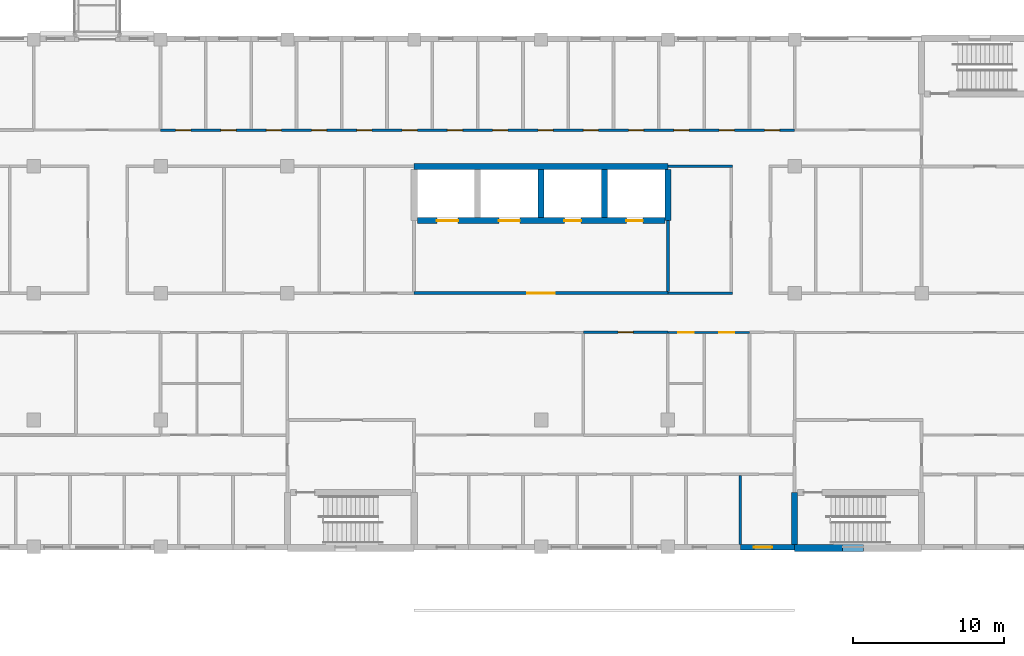
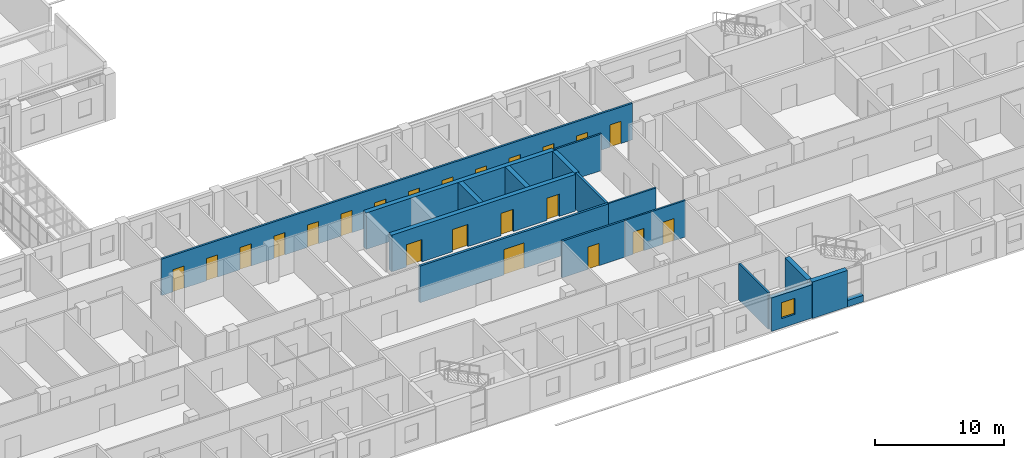
# One storey, part 60 of 94: 22 doors, 17 walls, 1 window, 23 openings.
"""IFC4 building model written with IfcOpenShell, lengths in metres."""

from ifc_helpers import new_model, si_unit, direction, frame, frame_2d, origin, place, context, subcontext, project, spatial, rectangle, extrude, material, layer, layer_set, type_object, element, fill, save


model = new_model("IFC4")

# Units and contexts
model_context = context("Model", 3, precision=1e-05, world=origin(), true_north=direction((0.0, 1.0)))
body_context = subcontext(model_context, "Body", "Model", "MODEL_VIEW")
ifc_project = project(units=[si_unit("LENGTHUNIT", "METRE"), si_unit("AREAUNIT", "SQUARE_METRE"), si_unit("VOLUMEUNIT", "CUBIC_METRE"), si_unit("PLANEANGLEUNIT", "RADIAN"), si_unit("MASSUNIT", "GRAM", prefix="KILO")], contexts=[model_context])

# Site, building, storey
site_placement = place(None, origin())
site = spatial("IfcSite", under=ifc_project, at=site_placement, CompositionType="ELEMENT")
building_placement = place(site_placement, origin())
building = spatial("IfcBuilding", under=site, at=building_placement, Name="Yavir Park General Hospital", CompositionType="ELEMENT")
storey_placement = place(building_placement, frame((0.0, 0.0, 4.5)))
storey = spatial("IfcBuildingStorey", under=building, at=storey_placement, Name="L01", CompositionType="ELEMENT", Elevation=4.5)

# Wall, opening, door
ifc_material_1 = material(Name="Double-leaf gypsum board acoustic partition on staggered studs")
ifc_layer_1 = layer(ifc_material_1, 0.175048828125)
ifc_layer_set_1 = layer_set([ifc_layer_1], Name="Double-leaf gypsum board acoustic partition on staggered studs")
wall_type_1 = type_object("IfcWallType", Name="Acoustic partition 175", PredefinedType="PARTITIONING", material=ifc_layer_set_1)
wall_1_placement = place(storey_placement, frame((86.800048828125, 14.199951171875, 0.0), z_axis=(0.0, 0.0, 1.0), x_axis=(1.0, 0.0, 0.0)))
wall_1 = element("IfcWall", 1, at=wall_1_placement, inside=storey, type_object=wall_type_1, Name="AP175 L01-053", PredefinedType="PARTITIONING", context=body_context, shape_type="SweptSolid", body=[
    extrude(rectangle(XDim=5.599853515625, YDim=0.175048828125, at=frame_2d((2.7998046875, 0.0))), origin(), (0.0, 0.0, 1.0), 3.449951171875),
])
opening_1_placement = place(wall_1_placement, frame((2.300048828125, 0.0, 0.0)))
opening_1 = element("IfcOpeningElement", 2, at=opening_1_placement, cuts=wall_1, Name="Opening L01.D068", PredefinedType="OPENING", context=body_context, shape_type="SweptSolid", body=[
    extrude(rectangle(XDim=1.0, YDim=2.10009765625, at=frame_2d((0.5, 1.050048828125))), frame((0.0, 0.097412109375, 0.0), z_axis=(0.0, -1.0, 0.0), x_axis=(1.0, 0.0, 0.0)), (0.0, 0.0, 1.0), 0.195068359375),
])
ifc_material_2 = material(Name="Sealed solid-core acoustic door leaf, Rw 42 dB")
door_type_1 = type_object("IfcDoorType", Name="Acoustic door 1000 x 2100", OperationType="SINGLE_SWING_LEFT", PredefinedType="DOOR", material=ifc_material_2)
door_1_placement = place(opening_1_placement, origin())
door_1 = element("IfcDoor", 3, at=door_1_placement, inside=storey, type_object=door_type_1, Name="L01.D068", OperationType="SINGLE_SWING_LEFT", OverallHeight=2.10009765625, OverallWidth=1.0, PredefinedType="DOOR", context=body_context, shape_type="SweptSolid", body=[
    extrude(rectangle(XDim=1.0, YDim=2.10009765625, at=frame_2d((0.5, 1.050048828125))), frame((0.0, 0.03515625, 0.0), z_axis=(0.0, -1.0, 0.0), x_axis=(1.0, 0.0, 0.0)), (0.0, 0.0, 1.0), 0.070068359375),
])
fill(opening_1, door_1)

# Wall, openings, doors
wall_2_placement = place(storey_placement, frame((58.800048828125, 27.60009765625, 0.0), z_axis=(0.0, 0.0, 1.0), x_axis=(1.0, 0.0, 0.0)))
wall_2 = element("IfcWall", 4, at=wall_2_placement, inside=storey, type_object=wall_type_1, Name="AP175 L01-116", PredefinedType="PARTITIONING", context=body_context, shape_type="SweptSolid", body=[
    extrude(rectangle(XDim=42.0, YDim=0.175048828125, at=frame_2d((21.0, 0.0))), origin(), (0.0, 0.0, 1.0), 3.449951171875),
])
opening_2_placement = place(wall_2_placement, frame((1.0, 0.0, 0.0)))
opening_2 = element("IfcOpeningElement", 5, at=opening_2_placement, cuts=wall_2, Name="Opening L01.D118", PredefinedType="OPENING", context=body_context, shape_type="SweptSolid", body=[
    extrude(rectangle(XDim=1.0, YDim=2.10009765625, at=frame_2d((0.5, 1.050048828125))), frame((0.0, 0.097412109375, 0.0), z_axis=(0.0, -1.0, 0.0), x_axis=(1.0, 0.0, 0.0)), (0.0, 0.0, 1.0), 0.195068359375),
])
opening_3_placement = place(wall_2_placement, frame((4.0, 0.0, 0.0)))
opening_3 = element("IfcOpeningElement", 6, at=opening_3_placement, cuts=wall_2, Name="Opening L01.D119", PredefinedType="OPENING", context=body_context, shape_type="SweptSolid", body=[
    extrude(rectangle(XDim=1.0, YDim=2.10009765625, at=frame_2d((0.5, 1.050048828125))), frame((0.0, 0.097412109375, 0.0), z_axis=(0.0, -1.0, 0.0), x_axis=(1.0, 0.0, 0.0)), (0.0, 0.0, 1.0), 0.195068359375),
])
opening_4_placement = place(wall_2_placement, frame((7.0, 0.0, 0.0)))
opening_4 = element("IfcOpeningElement", 7, at=opening_4_placement, cuts=wall_2, Name="Opening L01.D120", PredefinedType="OPENING", context=body_context, shape_type="SweptSolid", body=[
    extrude(rectangle(XDim=1.0, YDim=2.10009765625, at=frame_2d((0.5, 1.050048828125))), frame((0.0, 0.097412109375, 0.0), z_axis=(0.0, -1.0, 0.0), x_axis=(1.0, 0.0, 0.0)), (0.0, 0.0, 1.0), 0.195068359375),
])
opening_5_placement = place(wall_2_placement, frame((10.0, 0.0, 0.0)))
opening_5 = element("IfcOpeningElement", 8, at=opening_5_placement, cuts=wall_2, Name="Opening L01.D121", PredefinedType="OPENING", context=body_context, shape_type="SweptSolid", body=[
    extrude(rectangle(XDim=1.0, YDim=2.10009765625, at=frame_2d((0.5, 1.050048828125))), frame((0.0, 0.097412109375, 0.0), z_axis=(0.0, -1.0, 0.0), x_axis=(1.0, 0.0, 0.0)), (0.0, 0.0, 1.0), 0.195068359375),
])
opening_6_placement = place(wall_2_placement, frame((13.0, 0.0, 0.0)))
opening_6 = element("IfcOpeningElement", 9, at=opening_6_placement, cuts=wall_2, Name="Opening L01.D122", PredefinedType="OPENING", context=body_context, shape_type="SweptSolid", body=[
    extrude(rectangle(XDim=1.0, YDim=2.10009765625, at=frame_2d((0.5, 1.050048828125))), frame((0.0, 0.097412109375, 0.0), z_axis=(0.0, -1.0, 0.0), x_axis=(1.0, 0.0, 0.0)), (0.0, 0.0, 1.0), 0.195068359375),
])
opening_7_placement = place(wall_2_placement, frame((16.0, 0.0, 0.0)))
opening_7 = element("IfcOpeningElement", 10, at=opening_7_placement, cuts=wall_2, Name="Opening L01.D123", PredefinedType="OPENING", context=body_context, shape_type="SweptSolid", body=[
    extrude(rectangle(XDim=1.0, YDim=2.10009765625, at=frame_2d((0.5, 1.050048828125))), frame((0.0, 0.097412109375, 0.0), z_axis=(0.0, -1.0, 0.0), x_axis=(1.0, 0.0, 0.0)), (0.0, 0.0, 1.0), 0.195068359375),
])
opening_8_placement = place(wall_2_placement, frame((19.0, 0.0, 0.0)))
opening_8 = element("IfcOpeningElement", 11, at=opening_8_placement, cuts=wall_2, Name="Opening L01.D124", PredefinedType="OPENING", context=body_context, shape_type="SweptSolid", body=[
    extrude(rectangle(XDim=1.0, YDim=2.10009765625, at=frame_2d((0.5, 1.050048828125))), frame((0.0, 0.097412109375, 0.0), z_axis=(0.0, -1.0, 0.0), x_axis=(1.0, 0.0, 0.0)), (0.0, 0.0, 1.0), 0.195068359375),
])
opening_9_placement = place(wall_2_placement, frame((22.0, 0.0, 0.0)))
opening_9 = element("IfcOpeningElement", 12, at=opening_9_placement, cuts=wall_2, Name="Opening L01.D125", PredefinedType="OPENING", context=body_context, shape_type="SweptSolid", body=[
    extrude(rectangle(XDim=1.0, YDim=2.10009765625, at=frame_2d((0.5, 1.050048828125))), frame((0.0, 0.097412109375, 0.0), z_axis=(0.0, -1.0, 0.0), x_axis=(1.0, 0.0, 0.0)), (0.0, 0.0, 1.0), 0.195068359375),
])
opening_10_placement = place(wall_2_placement, frame((25.0, 0.0, 0.0)))
opening_10 = element("IfcOpeningElement", 13, at=opening_10_placement, cuts=wall_2, Name="Opening L01.D126", PredefinedType="OPENING", context=body_context, shape_type="SweptSolid", body=[
    extrude(rectangle(XDim=1.0, YDim=2.10009765625, at=frame_2d((0.5, 1.050048828125))), frame((0.0, 0.097412109375, 0.0), z_axis=(0.0, -1.0, 0.0), x_axis=(1.0, 0.0, 0.0)), (0.0, 0.0, 1.0), 0.195068359375),
])
opening_11_placement = place(wall_2_placement, frame((28.0, 0.0, 0.0)))
opening_11 = element("IfcOpeningElement", 14, at=opening_11_placement, cuts=wall_2, Name="Opening L01.D127", PredefinedType="OPENING", context=body_context, shape_type="SweptSolid", body=[
    extrude(rectangle(XDim=1.0, YDim=2.10009765625, at=frame_2d((0.5, 1.050048828125))), frame((0.0, 0.097412109375, 0.0), z_axis=(0.0, -1.0, 0.0), x_axis=(1.0, 0.0, 0.0)), (0.0, 0.0, 1.0), 0.195068359375),
])
opening_12_placement = place(wall_2_placement, frame((31.0, 0.0, 0.0)))
opening_12 = element("IfcOpeningElement", 15, at=opening_12_placement, cuts=wall_2, Name="Opening L01.D128", PredefinedType="OPENING", context=body_context, shape_type="SweptSolid", body=[
    extrude(rectangle(XDim=1.0, YDim=2.10009765625, at=frame_2d((0.5, 1.050048828125))), frame((0.0, 0.097412109375, 0.0), z_axis=(0.0, -1.0, 0.0), x_axis=(1.0, 0.0, 0.0)), (0.0, 0.0, 1.0), 0.195068359375),
])
opening_13_placement = place(wall_2_placement, frame((34.0, 0.0, 0.0)))
opening_13 = element("IfcOpeningElement", 16, at=opening_13_placement, cuts=wall_2, Name="Opening L01.D129", PredefinedType="OPENING", context=body_context, shape_type="SweptSolid", body=[
    extrude(rectangle(XDim=1.0, YDim=2.10009765625, at=frame_2d((0.5, 1.050048828125))), frame((0.0, 0.097412109375, 0.0), z_axis=(0.0, -1.0, 0.0), x_axis=(1.0, 0.0, 0.0)), (0.0, 0.0, 1.0), 0.195068359375),
])
opening_14_placement = place(wall_2_placement, frame((37.0, 0.0, 0.0)))
opening_14 = element("IfcOpeningElement", 17, at=opening_14_placement, cuts=wall_2, Name="Opening L01.D130", PredefinedType="OPENING", context=body_context, shape_type="SweptSolid", body=[
    extrude(rectangle(XDim=1.0, YDim=2.10009765625, at=frame_2d((0.5, 1.050048828125))), frame((0.0, 0.097412109375, 0.0), z_axis=(0.0, -1.0, 0.0), x_axis=(1.0, 0.0, 0.0)), (0.0, 0.0, 1.0), 0.195068359375),
])
opening_15_placement = place(wall_2_placement, frame((40.0, 0.0, 0.0)))
opening_15 = element("IfcOpeningElement", 18, at=opening_15_placement, cuts=wall_2, Name="Opening L01.D131", PredefinedType="OPENING", context=body_context, shape_type="SweptSolid", body=[
    extrude(rectangle(XDim=1.0, YDim=2.10009765625, at=frame_2d((0.5, 1.050048828125))), frame((0.0, 0.097412109375, 0.0), z_axis=(0.0, -1.0, 0.0), x_axis=(1.0, 0.0, 0.0)), (0.0, 0.0, 1.0), 0.195068359375),
])
door_2_placement = place(opening_2_placement, origin())
door_2 = element("IfcDoor", 19, at=door_2_placement, inside=storey, type_object=door_type_1, Name="L01.D118", OperationType="SINGLE_SWING_RIGHT", OverallHeight=2.10009765625, OverallWidth=1.0, PredefinedType="DOOR", context=body_context, shape_type="SweptSolid", body=[
    extrude(rectangle(XDim=1.0, YDim=2.10009765625, at=frame_2d((0.5, 1.050048828125))), frame((0.0, 0.03515625, 0.0), z_axis=(0.0, -1.0, 0.0), x_axis=(1.0, 0.0, 0.0)), (0.0, 0.0, 1.0), 0.070068359375),
])
fill(opening_2, door_2)
door_3_placement = place(opening_3_placement, origin())
door_3 = element("IfcDoor", 20, at=door_3_placement, inside=storey, type_object=door_type_1, Name="L01.D119", OperationType="SINGLE_SWING_RIGHT", OverallHeight=2.10009765625, OverallWidth=1.0, PredefinedType="DOOR", context=body_context, shape_type="SweptSolid", body=[
    extrude(rectangle(XDim=1.0, YDim=2.10009765625, at=frame_2d((0.5, 1.050048828125))), frame((0.0, 0.03515625, 0.0), z_axis=(0.0, -1.0, 0.0), x_axis=(1.0, 0.0, 0.0)), (0.0, 0.0, 1.0), 0.070068359375),
])
fill(opening_3, door_3)
door_4_placement = place(opening_4_placement, origin())
door_4 = element("IfcDoor", 21, at=door_4_placement, inside=storey, type_object=door_type_1, Name="L01.D120", OperationType="SINGLE_SWING_RIGHT", OverallHeight=2.10009765625, OverallWidth=1.0, PredefinedType="DOOR", context=body_context, shape_type="SweptSolid", body=[
    extrude(rectangle(XDim=1.0, YDim=2.10009765625, at=frame_2d((0.5, 1.050048828125))), frame((0.0, 0.03515625, 0.0), z_axis=(0.0, -1.0, 0.0), x_axis=(1.0, 0.0, 0.0)), (0.0, 0.0, 1.0), 0.070068359375),
])
fill(opening_4, door_4)
door_5_placement = place(opening_5_placement, origin())
door_5 = element("IfcDoor", 22, at=door_5_placement, inside=storey, type_object=door_type_1, Name="L01.D121", OperationType="SINGLE_SWING_RIGHT", OverallHeight=2.10009765625, OverallWidth=1.0, PredefinedType="DOOR", context=body_context, shape_type="SweptSolid", body=[
    extrude(rectangle(XDim=1.0, YDim=2.10009765625, at=frame_2d((0.5, 1.050048828125))), frame((0.0, 0.03515625, 0.0), z_axis=(0.0, -1.0, 0.0), x_axis=(1.0, 0.0, 0.0)), (0.0, 0.0, 1.0), 0.070068359375),
])
fill(opening_5, door_5)
door_6_placement = place(opening_6_placement, origin())
door_6 = element("IfcDoor", 23, at=door_6_placement, inside=storey, type_object=door_type_1, Name="L01.D122", OperationType="SINGLE_SWING_RIGHT", OverallHeight=2.10009765625, OverallWidth=1.0, PredefinedType="DOOR", context=body_context, shape_type="SweptSolid", body=[
    extrude(rectangle(XDim=1.0, YDim=2.10009765625, at=frame_2d((0.5, 1.050048828125))), frame((0.0, 0.03515625, 0.0), z_axis=(0.0, -1.0, 0.0), x_axis=(1.0, 0.0, 0.0)), (0.0, 0.0, 1.0), 0.070068359375),
])
fill(opening_6, door_6)
door_7_placement = place(opening_7_placement, origin())
door_7 = element("IfcDoor", 24, at=door_7_placement, inside=storey, type_object=door_type_1, Name="L01.D123", OperationType="SINGLE_SWING_RIGHT", OverallHeight=2.10009765625, OverallWidth=1.0, PredefinedType="DOOR", context=body_context, shape_type="SweptSolid", body=[
    extrude(rectangle(XDim=1.0, YDim=2.10009765625, at=frame_2d((0.5, 1.050048828125))), frame((0.0, 0.03515625, 0.0), z_axis=(0.0, -1.0, 0.0), x_axis=(1.0, 0.0, 0.0)), (0.0, 0.0, 1.0), 0.070068359375),
])
fill(opening_7, door_7)
door_8_placement = place(opening_8_placement, origin())
door_8 = element("IfcDoor", 25, at=door_8_placement, inside=storey, type_object=door_type_1, Name="L01.D124", OperationType="SINGLE_SWING_RIGHT", OverallHeight=2.10009765625, OverallWidth=1.0, PredefinedType="DOOR", context=body_context, shape_type="SweptSolid", body=[
    extrude(rectangle(XDim=1.0, YDim=2.10009765625, at=frame_2d((0.5, 1.050048828125))), frame((0.0, 0.03515625, 0.0), z_axis=(0.0, -1.0, 0.0), x_axis=(1.0, 0.0, 0.0)), (0.0, 0.0, 1.0), 0.070068359375),
])
fill(opening_8, door_8)
door_9_placement = place(opening_9_placement, origin())
door_9 = element("IfcDoor", 26, at=door_9_placement, inside=storey, type_object=door_type_1, Name="L01.D125", OperationType="SINGLE_SWING_RIGHT", OverallHeight=2.10009765625, OverallWidth=1.0, PredefinedType="DOOR", context=body_context, shape_type="SweptSolid", body=[
    extrude(rectangle(XDim=1.0, YDim=2.10009765625, at=frame_2d((0.5, 1.050048828125))), frame((0.0, 0.03515625, 0.0), z_axis=(0.0, -1.0, 0.0), x_axis=(1.0, 0.0, 0.0)), (0.0, 0.0, 1.0), 0.070068359375),
])
fill(opening_9, door_9)
door_10_placement = place(opening_10_placement, origin())
door_10 = element("IfcDoor", 27, at=door_10_placement, inside=storey, type_object=door_type_1, Name="L01.D126", OperationType="SINGLE_SWING_RIGHT", OverallHeight=2.10009765625, OverallWidth=1.0, PredefinedType="DOOR", context=body_context, shape_type="SweptSolid", body=[
    extrude(rectangle(XDim=1.0, YDim=2.10009765625, at=frame_2d((0.5, 1.050048828125))), frame((0.0, 0.03515625, 0.0), z_axis=(0.0, -1.0, 0.0), x_axis=(1.0, 0.0, 0.0)), (0.0, 0.0, 1.0), 0.070068359375),
])
fill(opening_10, door_10)
door_11_placement = place(opening_11_placement, origin())
door_11 = element("IfcDoor", 28, at=door_11_placement, inside=storey, type_object=door_type_1, Name="L01.D127", OperationType="SINGLE_SWING_RIGHT", OverallHeight=2.10009765625, OverallWidth=1.0, PredefinedType="DOOR", context=body_context, shape_type="SweptSolid", body=[
    extrude(rectangle(XDim=1.0, YDim=2.10009765625, at=frame_2d((0.5, 1.050048828125))), frame((0.0, 0.03515625, 0.0), z_axis=(0.0, -1.0, 0.0), x_axis=(1.0, 0.0, 0.0)), (0.0, 0.0, 1.0), 0.070068359375),
])
fill(opening_11, door_11)
door_12_placement = place(opening_12_placement, origin())
door_12 = element("IfcDoor", 29, at=door_12_placement, inside=storey, type_object=door_type_1, Name="L01.D128", OperationType="SINGLE_SWING_RIGHT", OverallHeight=2.10009765625, OverallWidth=1.0, PredefinedType="DOOR", context=body_context, shape_type="SweptSolid", body=[
    extrude(rectangle(XDim=1.0, YDim=2.10009765625, at=frame_2d((0.5, 1.050048828125))), frame((0.0, 0.03515625, 0.0), z_axis=(0.0, -1.0, 0.0), x_axis=(1.0, 0.0, 0.0)), (0.0, 0.0, 1.0), 0.070068359375),
])
fill(opening_12, door_12)
door_13_placement = place(opening_13_placement, origin())
door_13 = element("IfcDoor", 30, at=door_13_placement, inside=storey, type_object=door_type_1, Name="L01.D129", OperationType="SINGLE_SWING_RIGHT", OverallHeight=2.10009765625, OverallWidth=1.0, PredefinedType="DOOR", context=body_context, shape_type="SweptSolid", body=[
    extrude(rectangle(XDim=1.0, YDim=2.10009765625, at=frame_2d((0.5, 1.050048828125))), frame((0.0, 0.03515625, 0.0), z_axis=(0.0, -1.0, 0.0), x_axis=(1.0, 0.0, 0.0)), (0.0, 0.0, 1.0), 0.070068359375),
])
fill(opening_13, door_13)
door_14_placement = place(opening_14_placement, origin())
door_14 = element("IfcDoor", 31, at=door_14_placement, inside=storey, type_object=door_type_1, Name="L01.D130", OperationType="SINGLE_SWING_RIGHT", OverallHeight=2.10009765625, OverallWidth=1.0, PredefinedType="DOOR", context=body_context, shape_type="SweptSolid", body=[
    extrude(rectangle(XDim=1.0, YDim=2.10009765625, at=frame_2d((0.5, 1.050048828125))), frame((0.0, 0.03515625, 0.0), z_axis=(0.0, -1.0, 0.0), x_axis=(1.0, 0.0, 0.0)), (0.0, 0.0, 1.0), 0.070068359375),
])
fill(opening_14, door_14)
door_15_placement = place(opening_15_placement, origin())
door_15 = element("IfcDoor", 32, at=door_15_placement, inside=storey, type_object=door_type_1, Name="L01.D131", OperationType="SINGLE_SWING_RIGHT", OverallHeight=2.10009765625, OverallWidth=1.0, PredefinedType="DOOR", context=body_context, shape_type="SweptSolid", body=[
    extrude(rectangle(XDim=1.0, YDim=2.10009765625, at=frame_2d((0.5, 1.050048828125))), frame((0.0, 0.03515625, 0.0), z_axis=(0.0, -1.0, 0.0), x_axis=(1.0, 0.0, 0.0)), (0.0, 0.0, 1.0), 0.070068359375),
])
fill(opening_15, door_15)

# Wall
wall_3_placement = place(storey_placement, frame((97.199951171875, 0.14990234375, 0.0), z_axis=(0.0, 0.0, 1.0), x_axis=(0.0, 1.0, 0.0)))
element("IfcWall", 33, at=wall_3_placement, inside=storey, type_object=wall_type_1, Name="AP175 L01-408", PredefinedType="PARTITIONING", context=body_context, shape_type="SweptSolid", body=[
    extrude(rectangle(XDim=4.5625, YDim=0.175048828125, at=frame_2d((2.28125, 0.0))), origin(), (0.0, 0.0, 1.0), 3.449951171875),
])

# Wall, opening, door
ifc_material_3 = material(Name="Double gypsum board fire partition on steel studs", Category="steel")
ifc_layer_2 = layer(ifc_material_3, 0.199951171875)
ifc_layer_set_2 = layer_set([ifc_layer_2], Name="Double gypsum board fire partition on steel studs")
wall_type_2 = type_object("IfcWallType", Name="Fire-rated partition 200, EI 60", PredefinedType="PARTITIONING", material=ifc_layer_set_2)
wall_4_placement = place(storey_placement, frame((75.60009765625, 16.800048828125, 0.0), z_axis=(0.0, 0.0, 1.0), x_axis=(1.0, 0.0, 0.0)))
wall_4 = element("IfcWall", 34, at=wall_4_placement, inside=storey, type_object=wall_type_2, Name="FP20 L01-077", PredefinedType="PARTITIONING", context=body_context, shape_type="SweptSolid", body=[
    extrude(rectangle(XDim=16.7998046875, YDim=0.199951171875, at=frame_2d((8.39990234375, 0.0))), origin(), (0.0, 0.0, 1.0), 3.449951171875),
])
opening_16_placement = place(wall_4_placement, frame((7.5, 0.0, 0.0)))
opening_16 = element("IfcOpeningElement", 35, at=opening_16_placement, cuts=wall_4, Name="Opening L01.D090", PredefinedType="OPENING", context=body_context, shape_type="SweptSolid", body=[
    extrude(rectangle(XDim=1.800048828125, YDim=2.39990234375, at=frame_2d((0.89990234375, 1.199951171875))), frame((0.0, 0.10986328125, 0.0), z_axis=(0.0, -1.0, 0.0), x_axis=(1.0, 0.0, 0.0)), (0.0, 0.0, 1.0), 0.219970703125),
])
ifc_material_4 = material(Name="Steel frame, fire-resisting leaves with vision panels", Category="steel")
door_type_2 = type_object("IfcDoorType", Name="Double fire door with vision panels 1800 x 2400, EI 60", OperationType="DOUBLE_DOOR_SINGLE_SWING", PredefinedType="DOOR", material=ifc_material_4)
door_16_placement = place(opening_16_placement, origin())
door_16 = element("IfcDoor", 36, at=door_16_placement, inside=storey, type_object=door_type_2, Name="L01.D090", OperationType="SINGLE_SWING_LEFT", OverallHeight=2.39990234375, OverallWidth=1.800048828125, PredefinedType="DOOR", context=body_context, shape_type="SweptSolid", body=[
    extrude(rectangle(XDim=1.800048828125, YDim=2.39990234375, at=frame_2d((0.89990234375, 1.199951171875))), frame((0.0, 0.030029296875, 0.0), z_axis=(0.0, -1.0, 0.0), x_axis=(1.0, 0.0, 0.0)), (0.0, 0.0, 1.0), 0.06005859375),
])
fill(opening_16, door_16)

# Wall
wall_5_placement = place(storey_placement, frame((92.39990234375, 16.89990234375, 0.0), z_axis=(0.0, 0.0, 1.0), x_axis=(0.0, 1.0, 0.0)))
element("IfcWall", 37, at=wall_5_placement, inside=storey, type_object=wall_type_2, Name="FP20 L01-402", PredefinedType="PARTITIONING", context=body_context, shape_type="SweptSolid", body=[
    extrude(rectangle(XDim=4.7001953125, YDim=0.199951171875, at=frame_2d((2.35009765625, 0.0))), origin(), (0.0, 0.0, 1.0), 3.449951171875),
])

# Wall, openings, doors
ifc_material_5 = material(Name="Gypsum board partition on steel studs", Category="steel")
ifc_layer_3 = layer(ifc_material_5, 0.14990234375)
ifc_layer_set_3 = layer_set([ifc_layer_3], Name="Gypsum board partition on steel studs")
wall_type_3 = type_object("IfcWallType", Name="Gypsum board partition 150", PredefinedType="PARTITIONING", material=ifc_layer_set_3)
wall_6_placement = place(storey_placement, frame((92.39990234375, 14.199951171875, 0.0), z_axis=(0.0, 0.0, 1.0), x_axis=(1.0, 0.0, 0.0)))
wall_6 = element("IfcWall", 38, at=wall_6_placement, inside=storey, type_object=wall_type_3, Name="P15 L01-054", PredefinedType="PARTITIONING", context=body_context, shape_type="SweptSolid", body=[
    extrude(rectangle(XDim=5.400146484375, YDim=0.14990234375, at=frame_2d((2.7001953125, 0.0))), origin(), (0.0, 0.0, 1.0), 3.449951171875),
])
opening_17_placement = place(wall_6_placement, frame((0.699951171875, 0.0, 0.0)))
opening_17 = element("IfcOpeningElement", 39, at=opening_17_placement, cuts=wall_6, Name="Opening L01.D069", PredefinedType="OPENING", context=body_context, shape_type="SweptSolid", body=[
    extrude(rectangle(XDim=1.0, YDim=2.10009765625, at=frame_2d((0.5, 1.050048828125))), frame((0.0, 0.0849609375, 0.0), z_axis=(0.0, -1.0, 0.0), x_axis=(1.0, 0.0, 0.0)), (0.0, 0.0, 1.0), 0.169921875),
])
opening_18_placement = place(wall_6_placement, frame((3.39990234375, 0.0, 0.0)))
opening_18 = element("IfcOpeningElement", 40, at=opening_18_placement, cuts=wall_6, Name="Opening L01.D070", PredefinedType="OPENING", context=body_context, shape_type="SweptSolid", body=[
    extrude(rectangle(XDim=1.0, YDim=2.10009765625, at=frame_2d((0.5, 1.050048828125))), frame((0.0, 0.0849609375, 0.0), z_axis=(0.0, -1.0, 0.0), x_axis=(1.0, 0.0, 0.0)), (0.0, 0.0, 1.0), 0.169921875),
])
ifc_material_6 = material(Name="Hollow metal frame, solid-core timber leaf", Category="wood")
door_type_3 = type_object("IfcDoorType", Name="Single swing door 1000 x 2100", OperationType="SINGLE_SWING_LEFT", PredefinedType="DOOR", material=ifc_material_6)
door_17_placement = place(opening_17_placement, origin())
door_17 = element("IfcDoor", 41, at=door_17_placement, inside=storey, type_object=door_type_3, Name="L01.D069", OperationType="SINGLE_SWING_LEFT", OverallHeight=2.10009765625, OverallWidth=1.0, PredefinedType="DOOR", context=body_context, shape_type="SweptSolid", body=[
    extrude(rectangle(XDim=1.0, YDim=2.10009765625, at=frame_2d((0.5, 1.050048828125))), frame((0.0, 0.02490234375, 0.0), z_axis=(0.0, -1.0, 0.0), x_axis=(1.0, 0.0, 0.0)), (0.0, 0.0, 1.0), 0.050048828125),
])
fill(opening_17, door_17)
door_18_placement = place(opening_18_placement, origin())
door_18 = element("IfcDoor", 42, at=door_18_placement, inside=storey, type_object=door_type_3, Name="L01.D070", OperationType="SINGLE_SWING_LEFT", OverallHeight=2.10009765625, OverallWidth=1.0, PredefinedType="DOOR", context=body_context, shape_type="SweptSolid", body=[
    extrude(rectangle(XDim=1.0, YDim=2.10009765625, at=frame_2d((0.5, 1.050048828125))), frame((0.0, 0.02490234375, 0.0), z_axis=(0.0, -1.0, 0.0), x_axis=(1.0, 0.0, 0.0)), (0.0, 0.0, 1.0), 0.050048828125),
])
fill(opening_18, door_18)

# Walls
for number, where, z_axis, x_axis, name in (
    (43, (92.39990234375, 16.800048828125, 0.0), (0.0, 0.0, 1.0), (1.0, 0.0, 0.0), "P15 L01-078"),
    (44, (92.39990234375, 25.199951171875, 0.0), (0.0, 0.0, 1.0), (1.0, 0.0, 0.0), "P15 L01-104"),
):
    element("IfcWall", number, at=place(storey_placement, frame(where, z_axis=z_axis, x_axis=x_axis)), inside=storey, type_object=wall_type_3, Name=name, PredefinedType="PARTITIONING", context=body_context, shape_type="SweptSolid", body=[
        extrude(rectangle(XDim=4.275146484375, YDim=0.14990234375, at=frame_2d((2.1376953125, 0.0))), origin(), (0.0, 0.0, 1.0), 3.449951171875),
    ])

# Wall, opening, window
ifc_material_7 = material(Name="Autoclaved aerated block, 150 mm mineral wool and sand-coloured mineral render")
ifc_layer_4 = layer(ifc_material_7, 0.375)
ifc_layer_set_4 = layer_set([ifc_layer_4], Name="Autoclaved aerated block, 150 mm mineral wool and sand-coloured mineral render")
wall_type_4 = type_object("IfcWallType", Name="Mineral render clinical wall 375, E 30", PredefinedType="SOLIDWALL", material=ifc_layer_set_4)
wall_7_placement = place(storey_placement, frame((97.199951171875, -0.03759765625, 0.0), z_axis=(0.0, 0.0, 1.0), x_axis=(1.0, 0.0, 0.0)))
wall_7 = element("IfcWall", 45, at=wall_7_placement, inside=storey, type_object=wall_type_4, Name="XW1 L01-029", PredefinedType="SOLIDWALL", context=body_context, shape_type="SweptSolid", body=[
    extrude(rectangle(XDim=3.60009765625, YDim=0.375, at=frame_2d((1.800048828125, 0.0))), origin(), (0.0, 0.0, 1.0), 3.14990234375),
])
opening_19_placement = place(wall_7_placement, frame((0.89990234375, 0.0, 0.89990234375)))
opening_19 = element("IfcOpeningElement", 46, at=opening_19_placement, cuts=wall_7, Name="Opening WD", PredefinedType="OPENING", context=body_context, shape_type="SweptSolid", body=[
    extrude(rectangle(XDim=1.199951171875, YDim=1.5, at=frame_2d((0.60009765625, 0.75))), frame((0.0, 0.197509765625, 0.0), z_axis=(0.0, -1.0, 0.0), x_axis=(1.0, 0.0, 0.0)), (0.0, 0.0, 1.0), 0.39501953125),
])
ifc_material_8 = material(Name="Aluminium frame, double glazed unit", Category="aluminium")
window_type = type_object("IfcWindowType", Name="Office window 1200 x 1500", PartitioningType="SINGLE_PANEL", PredefinedType="WINDOW", material=ifc_material_8)
window_placement = place(opening_19_placement, origin())
window = element("IfcWindow", 47, at=window_placement, inside=storey, type_object=window_type, Name="WD L01-020", OverallHeight=1.5, OverallWidth=1.199951171875, PartitioningType="SINGLE_PANEL", PredefinedType="WINDOW", context=body_context, shape_type="SweptSolid", body=[
    extrude(rectangle(XDim=1.199951171875, YDim=1.5, at=frame_2d((0.60009765625, 0.75))), frame((0.0, 0.030029296875, 0.0), z_axis=(0.0, -1.0, 0.0), x_axis=(1.0, 0.0, 0.0)), (0.0, 0.0, 1.0), 0.06005859375),
])
fill(opening_19, window)

# Wall, openings, doors
ifc_material_9 = material(Name="Concrete C35/45", Category="concrete")
ifc_layer_5 = layer(ifc_material_9, 0.39990234375)
ifc_layer_set_5 = layer_set([ifc_layer_5], Name="Concrete C35/45")
wall_type_5 = type_object("IfcWallType", Name="Reinforced concrete core wall 400, REI 150", PredefinedType="SHEAR", material=ifc_layer_set_5)
wall_8_placement = place(storey_placement, frame((75.800048828125, 21.60009765625, 0.0), z_axis=(0.0, 0.0, 1.0), x_axis=(1.0, 0.0, 0.0)))
wall_8 = element("IfcWall", 48, at=wall_8_placement, inside=storey, type_object=wall_type_5, Name="CW40 L01-088", PredefinedType="SHEAR", context=body_context, shape_type="SweptSolid", body=[
    extrude(rectangle(XDim=16.39990234375, YDim=0.39990234375, at=frame_2d((8.199951171875, 0.0))), origin(), (0.0, 0.0, 1.0), 3.449951171875),
])
opening_20_placement = place(wall_8_placement, frame((1.300048828125, 0.0, 0.0)))
opening_20 = element("IfcOpeningElement", 49, at=opening_20_placement, cuts=wall_8, Name="Opening L01.D101", PredefinedType="OPENING", context=body_context, shape_type="SweptSolid", body=[
    extrude(rectangle(XDim=1.39990234375, YDim=2.10009765625, at=frame_2d((0.699951171875, 1.050048828125))), frame((0.0, 0.2099609375, 0.0), z_axis=(0.0, -1.0, 0.0), x_axis=(1.0, 0.0, 0.0)), (0.0, 0.0, 1.0), 0.419921875),
])
opening_21_placement = place(wall_8_placement, frame((5.39990234375, 0.0, 0.0)))
opening_21 = element("IfcOpeningElement", 50, at=opening_21_placement, cuts=wall_8, Name="Opening L01.D102", PredefinedType="OPENING", context=body_context, shape_type="SweptSolid", body=[
    extrude(rectangle(XDim=1.39990234375, YDim=2.10009765625, at=frame_2d((0.699951171875, 1.050048828125))), frame((0.0, 0.2099609375, 0.0), z_axis=(0.0, -1.0, 0.0), x_axis=(1.0, 0.0, 0.0)), (0.0, 0.0, 1.0), 0.419921875),
])
opening_22_placement = place(wall_8_placement, frame((9.75, 0.0, 0.0)))
opening_22 = element("IfcOpeningElement", 51, at=opening_22_placement, cuts=wall_8, Name="Opening L01.D103", PredefinedType="OPENING", context=body_context, shape_type="SweptSolid", body=[
    extrude(rectangle(XDim=1.10009765625, YDim=2.10009765625, at=frame_2d((0.550048828125, 1.050048828125))), frame((0.0, 0.2099609375, 0.0), z_axis=(0.0, -1.0, 0.0), x_axis=(1.0, 0.0, 0.0)), (0.0, 0.0, 1.0), 0.419921875),
])
opening_23_placement = place(wall_8_placement, frame((13.85009765625, 0.0, 0.0)))
opening_23 = element("IfcOpeningElement", 52, at=opening_23_placement, cuts=wall_8, Name="Opening L01.D104", PredefinedType="OPENING", context=body_context, shape_type="SweptSolid", body=[
    extrude(rectangle(XDim=1.10009765625, YDim=2.10009765625, at=frame_2d((0.550048828125, 1.050048828125))), frame((0.0, 0.2099609375, 0.0), z_axis=(0.0, -1.0, 0.0), x_axis=(1.0, 0.0, 0.0)), (0.0, 0.0, 1.0), 0.419921875),
])
ifc_material_10 = material(Name="Stainless steel landing door panels", Category="steel")
door_type_4 = type_object("IfcDoorType", Name="Lift landing door 1100 x 2100, EI 60", OperationType="SLIDING_TO_LEFT", PredefinedType="DOOR", material=ifc_material_10)
door_19_placement = place(opening_22_placement, origin())
door_19 = element("IfcDoor", 53, at=door_19_placement, inside=storey, type_object=door_type_4, Name="L01.D103", OperationType="SLIDING_TO_LEFT", OverallHeight=2.10009765625, OverallWidth=1.10009765625, PredefinedType="DOOR", context=body_context, shape_type="SweptSolid", body=[
    extrude(rectangle(XDim=1.10009765625, YDim=2.10009765625, at=frame_2d((0.550048828125, 1.050048828125))), frame((0.0, 0.02490234375, 0.0), z_axis=(0.0, -1.0, 0.0), x_axis=(1.0, 0.0, 0.0)), (0.0, 0.0, 1.0), 0.050048828125),
])
fill(opening_22, door_19)
door_20_placement = place(opening_23_placement, origin())
door_20 = element("IfcDoor", 54, at=door_20_placement, inside=storey, type_object=door_type_4, Name="L01.D104", OperationType="SLIDING_TO_LEFT", OverallHeight=2.10009765625, OverallWidth=1.10009765625, PredefinedType="DOOR", context=body_context, shape_type="SweptSolid", body=[
    extrude(rectangle(XDim=1.10009765625, YDim=2.10009765625, at=frame_2d((0.550048828125, 1.050048828125))), frame((0.0, 0.02490234375, 0.0), z_axis=(0.0, -1.0, 0.0), x_axis=(1.0, 0.0, 0.0)), (0.0, 0.0, 1.0), 0.050048828125),
])
fill(opening_23, door_20)
ifc_material_11 = material(Name="Stainless steel landing door panels", Category="steel")
door_type_5 = type_object("IfcDoorType", Name="Lift landing door 1400 x 2100, EI 60", OperationType="SLIDING_TO_LEFT", PredefinedType="DOOR", material=ifc_material_11)
door_21_placement = place(opening_20_placement, origin())
door_21 = element("IfcDoor", 55, at=door_21_placement, inside=storey, type_object=door_type_5, Name="L01.D101", OperationType="SLIDING_TO_LEFT", OverallHeight=2.10009765625, OverallWidth=1.39990234375, PredefinedType="DOOR", context=body_context, shape_type="SweptSolid", body=[
    extrude(rectangle(XDim=1.39990234375, YDim=2.10009765625, at=frame_2d((0.699951171875, 1.050048828125))), frame((0.0, 0.02490234375, 0.0), z_axis=(0.0, -1.0, 0.0), x_axis=(1.0, 0.0, 0.0)), (0.0, 0.0, 1.0), 0.050048828125),
])
fill(opening_20, door_21)
door_22_placement = place(opening_21_placement, origin())
door_22 = element("IfcDoor", 56, at=door_22_placement, inside=storey, type_object=door_type_5, Name="L01.D102", OperationType="SLIDING_TO_LEFT", OverallHeight=2.10009765625, OverallWidth=1.39990234375, PredefinedType="DOOR", context=body_context, shape_type="SweptSolid", body=[
    extrude(rectangle(XDim=1.39990234375, YDim=2.10009765625, at=frame_2d((0.699951171875, 1.050048828125))), frame((0.0, 0.02490234375, 0.0), z_axis=(0.0, -1.0, 0.0), x_axis=(1.0, 0.0, 0.0)), (0.0, 0.0, 1.0), 0.050048828125),
])
fill(opening_21, door_22)

# Walls
wall_9_placement = place(storey_placement, frame((75.60009765625, 25.199951171875, 0.0), z_axis=(0.0, 0.0, 1.0), x_axis=(1.0, 0.0, 0.0)))
element("IfcWall", 57, at=wall_9_placement, inside=storey, type_object=wall_type_5, Name="CW40 L01-103", PredefinedType="SHEAR", context=body_context, shape_type="SweptSolid", body=[
    extrude(rectangle(XDim=16.7998046875, YDim=0.39990234375, at=frame_2d((8.39990234375, 0.0))), origin(), (0.0, 0.0, 1.0), 3.449951171875),
])
for number, where, z_axis, x_axis, name in (
    (58, (84.0, 21.800048828125, 0.0), (0.0, 0.0, 1.0), (0.0, 1.0, 0.0), "CW40 L01-392"),
    (59, (88.199951171875, 21.800048828125, 0.0), (0.0, 0.0, 1.0), (0.0, 1.0, 0.0), "CW40 L01-396"),
):
    element("IfcWall", number, at=place(storey_placement, frame(where, z_axis=z_axis, x_axis=x_axis)), inside=storey, type_object=wall_type_5, Name=name, PredefinedType="SHEAR", context=body_context, shape_type="SweptSolid", body=[
        extrude(rectangle(XDim=3.199951171875, YDim=0.39990234375, at=frame_2d((1.60009765625, 0.0))), origin(), (0.0, 0.0, 1.0), 3.449951171875),
    ])
wall_10_placement = place(storey_placement, frame((92.39990234375, 21.60009765625, 0.0), z_axis=(0.0, 0.0, 1.0), x_axis=(0.0, 1.0, 0.0)))
element("IfcWall", 60, at=wall_10_placement, inside=storey, type_object=wall_type_5, Name="CW40 L01-403", PredefinedType="SHEAR", context=body_context, shape_type="SweptSolid", body=[
    extrude(rectangle(XDim=3.39990234375, YDim=0.39990234375, at=frame_2d((1.699951171875, 0.0))), origin(), (0.0, 0.0, 1.0), 3.449951171875),
])
wall_11_placement = place(storey_placement, frame((100.800048828125, 0.14990234375, 0.0), z_axis=(0.0, 0.0, 1.0), x_axis=(0.0, 1.0, 0.0)))
element("IfcWall", 61, at=wall_11_placement, inside=storey, type_object=wall_type_5, Name="CW40 L01-412", PredefinedType="SHEAR", context=body_context, shape_type="SweptSolid", body=[
    extrude(rectangle(XDim=3.4501953125, YDim=0.39990234375, at=frame_2d((1.72509765625, 0.0))), origin(), (0.0, 0.0, 1.0), 3.449951171875),
])
ifc_material_12 = material(Name="Concrete C30/37 precast panel with 150 mm mineral wool insulation", Category="concrete")
ifc_layer_6 = layer(ifc_material_12, 0.449951171875)
ifc_layer_set_6 = layer_set([ifc_layer_6], Name="Concrete C30/37 precast panel with 150 mm mineral wool insulation")
wall_type_6 = type_object("IfcWallType", Name="Stair enclosure wall 450, REI 150", PredefinedType="SOLIDWALL", material=ifc_layer_set_6)
wall_12_placement = place(storey_placement, frame((100.800048828125, -0.074951171875, 0.0), z_axis=(0.0, 0.0, 1.0), x_axis=(1.0, 0.0, 0.0)))
element("IfcWall", 62, at=wall_12_placement, inside=storey, type_object=wall_type_6, Name="XW6 L01-030", PredefinedType="SOLIDWALL", context=body_context, shape_type="SweptSolid", body=[
    extrude(rectangle(XDim=3.14990234375, YDim=0.449951171875, at=frame_2d((1.574951171875, 0.0))), origin(), (0.0, 0.0, 1.0), 3.449951171875),
])
wall_13_placement = place(storey_placement, frame((103.949951171875, -0.074951171875, 0.0), z_axis=(0.0, 0.0, 1.0), x_axis=(1.0, 0.0, 0.0)))
element("IfcWall", 63, at=wall_13_placement, inside=storey, type_object=wall_type_6, Name="XW6 L01-032", PredefinedType="SOLIDWALL", context=body_context, shape_type="SweptSolid", body=[
    extrude(rectangle(XDim=1.400146484375, YDim=0.449951171875, at=frame_2d((0.7001953125, 0.0))), origin(), (0.0, 0.0, 1.0), 0.60009765625),
])

save(model, "model.ifc")
